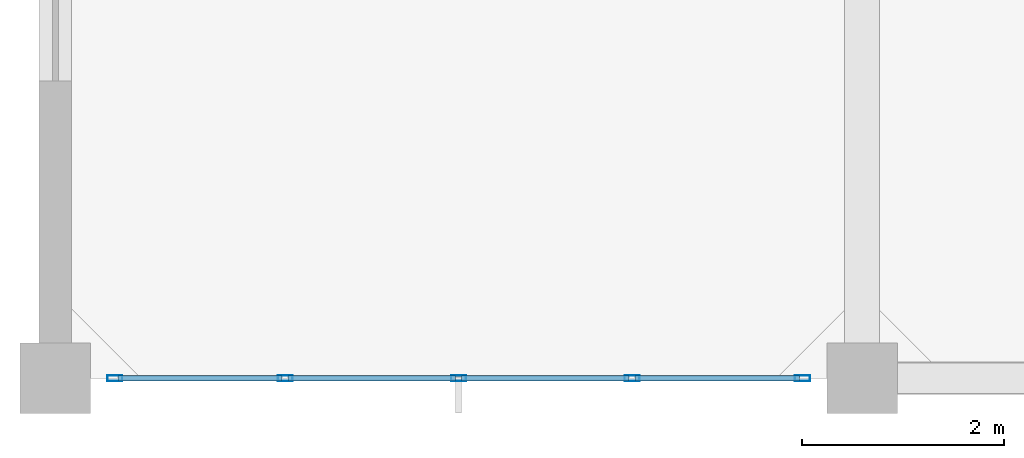
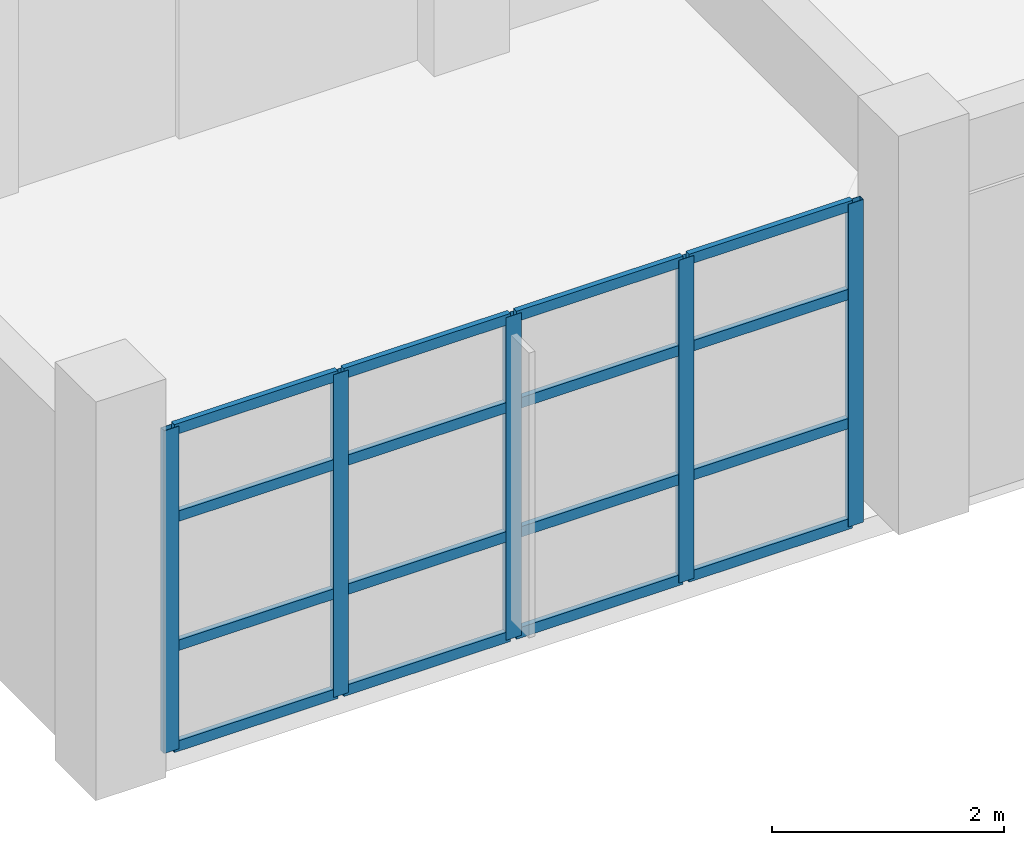
# One storey, part 2 of 27: 21 members, 1 element without a shape of its own.
"""IFC4 building model written with IfcOpenShell, lengths in metres."""

import ifcopenshell
import ifcopenshell.guid

model = None  # the IFC model being written
_history = None  # IfcOwnerHistory: only IFC2X3 demands one
_inside = {}  # id of a spatial element -> (the spatial element, [elements in it])
_under = {}  # id of a project, library or spatial element -> (it, [spatial elements below it])
_declared = {}  # id of a project -> (the project, [libraries it declares])
_typed = {}  # id of a type object -> (the type object, [elements of that type])
_made_of = {}  # id of a material, layer set ... -> (it, [elements and type objects made of it])


def new_model(schema):
    """Start an empty IFC model of exactly this schema.

    Asked for "IFC4X3", IfcOpenShell would pick the latest addendum, in which some entities
    have other attributes; the version numbers below select the first issue.
    IFC2X3 requires an IfcOwnerHistory on every rooted entity: one is made here for all.
    """
    global model, _history
    if schema == "IFC4X3":
        model = ifcopenshell.file(schema_version=(4, 3, 0, 0))
    else:
        model = ifcopenshell.file(schema=schema)
    _inside.clear()
    _under.clear()
    _declared.clear()
    _typed.clear()
    _made_of.clear()
    _history = None
    if model.schema == "IFC2X3":
        org = make("IfcOrganization", Name="unknown")
        user = make(
            "IfcPersonAndOrganization",
            ThePerson=make("IfcPerson", FamilyName="unknown"),
            TheOrganization=org,
        )
        app = make(
            "IfcApplication",
            ApplicationDeveloper=org,
            Version="unknown",
            ApplicationFullName="unknown",
            ApplicationIdentifier="unknown",
        )
        _history = make(
            "IfcOwnerHistory",
            OwningUser=user,
            OwningApplication=app,
            ChangeAction="ADDED",
            CreationDate=0,
        )
    return model


def make(cls, **values):
    """One entity of the class cls with the attributes given. An attribute that is None is left unset."""
    return model.create_entity(
        cls, **{name: value for name, value in values.items() if value is not None}
    )


def rooted(cls, **values):
    """An entity with a GlobalId (a new one), such as an element, a storey or a relation."""
    return make(cls, GlobalId=ifcopenshell.guid.new(), OwnerHistory=_history, **values)


def si_unit(unit_type, name, prefix=None):
    """IfcSIUnit, for example si_unit("LENGTHUNIT", "METRE", prefix="MILLI")."""
    return make("IfcSIUnit", UnitType=unit_type, Prefix=prefix, Name=name)


def assignment(units):
    """IfcUnitAssignment: the units of a project."""
    return None if units is None else make("IfcUnitAssignment", Units=units)


def point(xyz):
    """IfcCartesianPoint."""
    return None if xyz is None else make("IfcCartesianPoint", Coordinates=xyz)


def direction(xyz):
    """IfcDirection."""
    return None if xyz is None else make("IfcDirection", DirectionRatios=xyz)


def frame(location, z_axis=None, x_axis=None):
    """IfcAxis2Placement3D, a coordinate frame: its origin and axes. An axis left out is left unset."""
    return make(
        "IfcAxis2Placement3D",
        Location=point(location),
        Axis=direction(z_axis),
        RefDirection=direction(x_axis),
    )


def frame_2d(location, x_axis=None):
    """IfcAxis2Placement2D, a coordinate frame in the plane: its origin and x axis."""
    return make(
        "IfcAxis2Placement2D", Location=point(location), RefDirection=direction(x_axis)
    )


def origin():
    """The frame at (0, 0, 0) with its axes left unset."""
    return frame((0.0, 0.0, 0.0))


def origin_2d():
    """The frame at (0, 0) in the plane with its x axis left unset."""
    return frame_2d((0.0, 0.0))


def place(relative_to, where):
    """IfcLocalPlacement: puts the frame where relative to a parent placement (None: the world)."""
    return make(
        "IfcLocalPlacement", PlacementRelTo=relative_to, RelativePlacement=where
    )


def context(
    kind, dimensions, precision=None, world=None, true_north=None, identifier=None
):
    """IfcGeometricRepresentationContext, for example the 3D "Model" context."""
    return make(
        "IfcGeometricRepresentationContext",
        ContextIdentifier=identifier,
        ContextType=kind,
        CoordinateSpaceDimension=dimensions,
        Precision=precision,
        WorldCoordinateSystem=world,
        TrueNorth=true_north,
    )


def subcontext(parent, identifier, kind, view, scale=None):
    """IfcGeometricRepresentationSubContext, for example "Body" below "Model"."""
    return make(
        "IfcGeometricRepresentationSubContext",
        ContextIdentifier=identifier,
        ContextType=kind,
        ParentContext=parent,
        TargetScale=scale,
        TargetView=view,
    )


def project(units=None, contexts=None):
    """IfcProject with its units and contexts."""
    return rooted(
        "IfcProject",
        Name="project",
        RepresentationContexts=contexts,
        UnitsInContext=assignment(units),
    )


def spatial(cls, under=None, at=None, **own):
    """A site, building, storey or space (cls), placed at a placement, below another one or the project."""
    s = rooted(cls, ObjectPlacement=at, **own)
    if under is not None:
        _under.setdefault(under.id(), (under, []))[1].append(s)
    return s


def profile(cls, at=None, kind="AREA", **sizes):
    """A parametric profile (cls). Its sizes go by their IFC names, for example OverallWidth=200.0."""
    return make(cls, ProfileType=kind, Position=at, **sizes)


def hollow_rectangle(**sizes):
    """IfcRectangleHollowProfileDef."""
    return profile("IfcRectangleHollowProfileDef", **sizes)


def extrude(swept, where, along, depth):
    """IfcExtrudedAreaSolid: the profile swept, set in the frame where, extruded along a direction by depth."""
    return make(
        "IfcExtrudedAreaSolid",
        SweptArea=swept,
        Position=where,
        ExtrudedDirection=direction(along),
        Depth=depth,
    )


def shape(context_of_items, identifier, shape_type, items):
    """IfcShapeRepresentation: the items that make up one representation, for example the "Body"."""
    return make(
        "IfcShapeRepresentation",
        ContextOfItems=context_of_items,
        RepresentationIdentifier=identifier,
        RepresentationType=shape_type,
        Items=items,
    )


def material(Name=None, Category=None):
    """IfcMaterial."""
    return make("IfcMaterial", Name=Name, Category=Category)


def layer(
    of_material, thickness, ventilated=None, Name=None, Category=None, Priority=None
):
    """IfcMaterialLayer: one layer of a wall or slab, of a material (None: an air gap)."""
    return make(
        "IfcMaterialLayer",
        Material=of_material,
        LayerThickness=thickness,
        IsVentilated=ventilated,
        Name=Name,
        Category=Category,
        Priority=Priority,
    )


def layer_set(layers, Name=None):
    """IfcMaterialLayerSet."""
    return make("IfcMaterialLayerSet", MaterialLayers=layers, LayerSetName=Name)


def material_profile(
    of_material, cross_section, Name=None, Category=None, Priority=None
):
    """IfcMaterialProfile: a cross section and its material."""
    return make(
        "IfcMaterialProfile",
        Name=Name,
        Material=of_material,
        Profile=cross_section,
        Priority=Priority,
        Category=Category,
    )


def profile_set(profiles, Name=None, composite=None):
    """IfcMaterialProfileSet."""
    return make(
        "IfcMaterialProfileSet",
        Name=Name,
        MaterialProfiles=profiles,
        CompositeProfile=composite,
    )


def made_of(thing, what):
    """Note that an element or type object is made of a material, layer set ...; save() writes the relation."""
    if what is not None:
        _made_of.setdefault(what.id(), (what, []))[1].append(thing)
    return thing


def type_object(cls, material=None, **own):
    """A type object (cls), such as IfcWallType, which elements share."""
    return made_of(rooted(cls, **own), material)


def element(
    cls,
    number,
    at=None,
    inside=None,
    cuts=None,
    type_object=None,
    material=None,
    context=None,
    identifier="Body",
    shape_type=None,
    held_by="IfcProductDefinitionShape",
    body=None,
    shapes=None,
    **own,
):
    """One element of the class cls, such as IfcWall. Its Tag is "e" and its number.

    at: its placement. inside: the storey or other place that contains it. cuts: it is an
    opening in that element (IfcRelVoidsElement). A single representation is given by context,
    identifier, shape_type and body (its items); several are given by shapes. held_by: the class
    of the entity that holds the representations. save() writes the other relations.
    """
    e = rooted(cls, Tag="e%d" % number, ObjectPlacement=at, **own)
    if body is not None:
        shapes = [shape(context, identifier, shape_type, body)]
    if shapes is not None:
        e.Representation = make(held_by, Representations=shapes)
    if inside is not None:
        _inside.setdefault(inside.id(), (inside, []))[1].append(e)
    if cuts is not None:
        rooted(
            "IfcRelVoidsElement", RelatingBuildingElement=cuts, RelatedOpeningElement=e
        )
    if type_object is not None:
        _typed.setdefault(type_object.id(), (type_object, []))[1].append(e)
    return made_of(e, material)


def aggregate(whole, parts):
    """IfcRelAggregates: a whole, such as a stair, and the parts it consists of."""
    return rooted("IfcRelAggregates", RelatingObject=whole, RelatedObjects=parts)


def save(model, path):
    """Write the relations noted so far, then the file.

    IfcRelAggregates (storeys below a building ...), IfcRelContainedInSpatialStructure (elements
    in a storey), IfcRelDefinesByType, IfcRelAssociatesMaterial and IfcRelDeclares: one each for
    every whole, place, type object, material and project.
    """
    for whole, parts in _under.values():
        aggregate(whole, parts)
    for where, things in _inside.values():
        rooted(
            "IfcRelContainedInSpatialStructure",
            RelatedElements=things,
            RelatingStructure=where,
        )
    for kind, things in _typed.values():
        rooted("IfcRelDefinesByType", RelatedObjects=things, RelatingType=kind)
    for what, things in _made_of.values():
        rooted("IfcRelAssociatesMaterial", RelatedObjects=things, RelatingMaterial=what)
    for by, libraries in _declared.values():
        rooted("IfcRelDeclares", RelatingContext=by, RelatedDefinitions=libraries)
    model.write(path)


model = new_model("IFC4")

# Units and contexts
model_context = context("Model", 3, precision=1e-05, world=origin(), true_north=direction((0.0, 1.0)))
body_context = subcontext(model_context, "Body", "Model", "MODEL_VIEW")
ifc_project = project(units=[si_unit("LENGTHUNIT", "METRE"), si_unit("AREAUNIT", "SQUARE_METRE"), si_unit("VOLUMEUNIT", "CUBIC_METRE"), si_unit("PLANEANGLEUNIT", "RADIAN"), si_unit("MASSUNIT", "GRAM", prefix="KILO")], contexts=[model_context])

# Site, building, storey
site_placement = place(None, origin())
site = spatial("IfcSite", under=ifc_project, at=site_placement, CompositionType="ELEMENT")
building_placement = place(site_placement, origin())
building = spatial("IfcBuilding", under=site, at=building_placement, Name="Canggui Botanical Conservatory", CompositionType="ELEMENT")
storey_placement = place(building_placement, frame((0.0, 0.0, 36.0)))
storey = spatial("IfcBuildingStorey", under=building, at=storey_placement, Name="L09", CompositionType="ELEMENT", Elevation=36.0)

# Curtain wall, members
ifc_material = material(Name="Thermally Broken Aluminium", Category="aluminium")
ifc_layer = layer(ifc_material, 0.14990234375, Name="Thermally Broken Aluminium", Category="aluminium")
ifc_layer_set = layer_set([ifc_layer], Name="Thermally Broken Aluminium")
curtain_wall_type = type_object("IfcCurtainWallType", Name="CW-UNIT-C", PredefinedType="USERDEFINED", material=ifc_layer_set)
curtain_wall_placement = place(storey_placement, origin())
curtain_wall = element("IfcCurtainWall", 1, at=curtain_wall_placement, inside=storey, type_object=curtain_wall_type, Name="Facade Curtain Wall CW-TWR-L09-05", ObjectType="UNITISED CURTAIN WALL", PredefinedType="USERDEFINED")
ifc_material_profile_1 = material_profile(ifc_material, hollow_rectangle(XDim=0.06005859375, YDim=0.14990234375, WallThickness=0.00341796875, at=origin_2d()), Name="CWM 60x150x3.5")
ifc_profile_set_1 = profile_set([ifc_material_profile_1], Name="Thermally Broken Aluminium")
member_type_1 = type_object("IfcMemberType", Name="CWM-03", PredefinedType="MULLION", material=ifc_profile_set_1)
member_1_placement = place(storey_placement, frame((145.409912109375, 34.0, 0.0), z_axis=(0.0, 0.0, 1.0), x_axis=(0.0, -1.0, 0.0)))
member_1 = element("IfcMember", 2, at=member_1_placement, type_object=member_type_1, Name="CW-03 mullion 1", PredefinedType="MULLION", context=body_context, shape_type="SweptSolid", body=[
    extrude(hollow_rectangle(XDim=0.06005859375, YDim=0.14990234375, WallThickness=0.00341796875, at=origin_2d()), origin(), (0.0, 0.0, 1.0), 3.39990234375),
])
member_2_placement = place(storey_placement, frame((143.719970703125, 34.0, 0.0), z_axis=(0.0, 0.0, 1.0), x_axis=(0.0, -1.0, 0.0)))
member_2 = element("IfcMember", 3, at=member_2_placement, type_object=member_type_1, Name="CW-03 mullion 2", PredefinedType="MULLION", context=body_context, shape_type="SweptSolid", body=[
    extrude(hollow_rectangle(XDim=0.06005859375, YDim=0.14990234375, WallThickness=0.00341796875, at=origin_2d()), origin(), (0.0, 0.0, 1.0), 3.39990234375),
])
member_3_placement = place(storey_placement, frame((142.0, 34.0, 0.0), z_axis=(0.0, 0.0, 1.0), x_axis=(0.0, -1.0, 0.0)))
member_3 = element("IfcMember", 4, at=member_3_placement, type_object=member_type_1, Name="CW-03 mullion 3", PredefinedType="MULLION", context=body_context, shape_type="SweptSolid", body=[
    extrude(hollow_rectangle(XDim=0.06005859375, YDim=0.14990234375, WallThickness=0.00341796875, at=origin_2d()), origin(), (0.0, 0.0, 1.0), 3.39990234375),
])
member_4_placement = place(storey_placement, frame((140.280029296875, 34.0, 0.0), z_axis=(0.0, 0.0, 1.0), x_axis=(0.0, -1.0, 0.0)))
member_4 = element("IfcMember", 5, at=member_4_placement, type_object=member_type_1, Name="CW-03 mullion 4", PredefinedType="MULLION", context=body_context, shape_type="SweptSolid", body=[
    extrude(hollow_rectangle(XDim=0.06005859375, YDim=0.14990234375, WallThickness=0.00341796875, at=origin_2d()), origin(), (0.0, 0.0, 1.0), 3.39990234375),
])
member_5_placement = place(storey_placement, frame((138.590087890625, 34.0, 0.0), z_axis=(0.0, 0.0, 1.0), x_axis=(0.0, -1.0, 0.0)))
member_5 = element("IfcMember", 6, at=member_5_placement, type_object=member_type_1, Name="CW-03 mullion 5", PredefinedType="MULLION", context=body_context, shape_type="SweptSolid", body=[
    extrude(hollow_rectangle(XDim=0.06005859375, YDim=0.14990234375, WallThickness=0.00341796875, at=origin_2d()), origin(), (0.0, 0.0, 1.0), 3.39990234375),
])
ifc_material_profile_2 = material_profile(ifc_material, hollow_rectangle(XDim=0.054931640625, YDim=0.110107421875, WallThickness=0.0029296875, at=origin_2d()), Name="CWT 55x110x3")
ifc_profile_set_2 = profile_set([ifc_material_profile_2], Name="Thermally Broken Aluminium")
member_type_2 = type_object("IfcMemberType", Name="CWT-03", PredefinedType="USERDEFINED", material=ifc_profile_set_2)
member_6_placement = place(storey_placement, frame((145.3798828125, 34.0, 0.027587890625), z_axis=(-1.0, 0.0, 0.0), x_axis=(0.0, -1.0, 0.0)))
member_6 = element("IfcMember", 7, at=member_6_placement, type_object=member_type_2, Name="CW-03 transom 1.1", ObjectType="TRANSOM", PredefinedType="USERDEFINED", context=body_context, shape_type="SweptSolid", body=[
    extrude(hollow_rectangle(XDim=0.054931640625, YDim=0.110107421875, WallThickness=0.0029296875, at=origin_2d()), origin(), (0.0, 0.0, 1.0), 1.6298828125),
])
member_7_placement = place(storey_placement, frame((145.3798828125, 34.0, 1.087890625), z_axis=(-1.0, 0.0, 0.0), x_axis=(0.0, -1.0, 0.0)))
member_7 = element("IfcMember", 8, at=member_7_placement, type_object=member_type_2, Name="CW-03 transom 1.2", ObjectType="TRANSOM", PredefinedType="USERDEFINED", context=body_context, shape_type="SweptSolid", body=[
    extrude(hollow_rectangle(XDim=0.054931640625, YDim=0.110107421875, WallThickness=0.0029296875, at=origin_2d()), origin(), (0.0, 0.0, 1.0), 1.6298828125),
])
member_8_placement = place(storey_placement, frame((145.3798828125, 34.0, 2.447998046875), z_axis=(-1.0, 0.0, 0.0), x_axis=(0.0, -1.0, 0.0)))
member_8 = element("IfcMember", 9, at=member_8_placement, type_object=member_type_2, Name="CW-03 transom 1.3", ObjectType="TRANSOM", PredefinedType="USERDEFINED", context=body_context, shape_type="SweptSolid", body=[
    extrude(hollow_rectangle(XDim=0.054931640625, YDim=0.110107421875, WallThickness=0.0029296875, at=origin_2d()), origin(), (0.0, 0.0, 1.0), 1.6298828125),
])
member_9_placement = place(storey_placement, frame((145.3798828125, 34.0, 3.37255859375), z_axis=(-1.0, 0.0, 0.0), x_axis=(0.0, -1.0, 0.0)))
member_9 = element("IfcMember", 10, at=member_9_placement, type_object=member_type_2, Name="CW-03 transom 1.4", ObjectType="TRANSOM", PredefinedType="USERDEFINED", context=body_context, shape_type="SweptSolid", body=[
    extrude(hollow_rectangle(XDim=0.054931640625, YDim=0.110107421875, WallThickness=0.0029296875, at=origin_2d()), origin(), (0.0, 0.0, 1.0), 1.6298828125),
])
member_10_placement = place(storey_placement, frame((143.68994140625, 34.0, 0.027587890625), z_axis=(-1.0, 0.0, 0.0), x_axis=(0.0, -1.0, 0.0)))
member_10 = element("IfcMember", 11, at=member_10_placement, type_object=member_type_2, Name="CW-03 transom 2.1", ObjectType="TRANSOM", PredefinedType="USERDEFINED", context=body_context, shape_type="SweptSolid", body=[
    extrude(hollow_rectangle(XDim=0.054931640625, YDim=0.110107421875, WallThickness=0.0029296875, at=origin_2d()), origin(), (0.0, 0.0, 1.0), 1.659912109375),
])
member_11_placement = place(storey_placement, frame((143.68994140625, 34.0, 1.087890625), z_axis=(-1.0, 0.0, 0.0), x_axis=(0.0, -1.0, 0.0)))
member_11 = element("IfcMember", 12, at=member_11_placement, type_object=member_type_2, Name="CW-03 transom 2.2", ObjectType="TRANSOM", PredefinedType="USERDEFINED", context=body_context, shape_type="SweptSolid", body=[
    extrude(hollow_rectangle(XDim=0.054931640625, YDim=0.110107421875, WallThickness=0.0029296875, at=origin_2d()), origin(), (0.0, 0.0, 1.0), 1.659912109375),
])
member_12_placement = place(storey_placement, frame((143.68994140625, 34.0, 2.447998046875), z_axis=(-1.0, 0.0, 0.0), x_axis=(0.0, -1.0, 0.0)))
member_12 = element("IfcMember", 13, at=member_12_placement, type_object=member_type_2, Name="CW-03 transom 2.3", ObjectType="TRANSOM", PredefinedType="USERDEFINED", context=body_context, shape_type="SweptSolid", body=[
    extrude(hollow_rectangle(XDim=0.054931640625, YDim=0.110107421875, WallThickness=0.0029296875, at=origin_2d()), origin(), (0.0, 0.0, 1.0), 1.659912109375),
])
member_13_placement = place(storey_placement, frame((143.68994140625, 34.0, 3.37255859375), z_axis=(-1.0, 0.0, 0.0), x_axis=(0.0, -1.0, 0.0)))
member_13 = element("IfcMember", 14, at=member_13_placement, type_object=member_type_2, Name="CW-03 transom 2.4", ObjectType="TRANSOM", PredefinedType="USERDEFINED", context=body_context, shape_type="SweptSolid", body=[
    extrude(hollow_rectangle(XDim=0.054931640625, YDim=0.110107421875, WallThickness=0.0029296875, at=origin_2d()), origin(), (0.0, 0.0, 1.0), 1.659912109375),
])
member_14_placement = place(storey_placement, frame((141.969970703125, 34.0, 0.027587890625), z_axis=(-1.0, 0.0, 0.0), x_axis=(0.0, -1.0, 0.0)))
member_14 = element("IfcMember", 15, at=member_14_placement, type_object=member_type_2, Name="CW-03 transom 3.1", ObjectType="TRANSOM", PredefinedType="USERDEFINED", context=body_context, shape_type="SweptSolid", body=[
    extrude(hollow_rectangle(XDim=0.054931640625, YDim=0.110107421875, WallThickness=0.0029296875, at=origin_2d()), origin(), (0.0, 0.0, 1.0), 1.659912109375),
])
member_15_placement = place(storey_placement, frame((141.969970703125, 34.0, 1.087890625), z_axis=(-1.0, 0.0, 0.0), x_axis=(0.0, -1.0, 0.0)))
member_15 = element("IfcMember", 16, at=member_15_placement, type_object=member_type_2, Name="CW-03 transom 3.2", ObjectType="TRANSOM", PredefinedType="USERDEFINED", context=body_context, shape_type="SweptSolid", body=[
    extrude(hollow_rectangle(XDim=0.054931640625, YDim=0.110107421875, WallThickness=0.0029296875, at=origin_2d()), origin(), (0.0, 0.0, 1.0), 1.659912109375),
])
member_16_placement = place(storey_placement, frame((141.969970703125, 34.0, 2.447998046875), z_axis=(-1.0, 0.0, 0.0), x_axis=(0.0, -1.0, 0.0)))
member_16 = element("IfcMember", 17, at=member_16_placement, type_object=member_type_2, Name="CW-03 transom 3.3", ObjectType="TRANSOM", PredefinedType="USERDEFINED", context=body_context, shape_type="SweptSolid", body=[
    extrude(hollow_rectangle(XDim=0.054931640625, YDim=0.110107421875, WallThickness=0.0029296875, at=origin_2d()), origin(), (0.0, 0.0, 1.0), 1.659912109375),
])
member_17_placement = place(storey_placement, frame((141.969970703125, 34.0, 3.37255859375), z_axis=(-1.0, 0.0, 0.0), x_axis=(0.0, -1.0, 0.0)))
member_17 = element("IfcMember", 18, at=member_17_placement, type_object=member_type_2, Name="CW-03 transom 3.4", ObjectType="TRANSOM", PredefinedType="USERDEFINED", context=body_context, shape_type="SweptSolid", body=[
    extrude(hollow_rectangle(XDim=0.054931640625, YDim=0.110107421875, WallThickness=0.0029296875, at=origin_2d()), origin(), (0.0, 0.0, 1.0), 1.659912109375),
])
member_18_placement = place(storey_placement, frame((140.25, 34.0, 0.027587890625), z_axis=(-1.0, 0.0, 0.0), x_axis=(0.0, -1.0, 0.0)))
member_18 = element("IfcMember", 19, at=member_18_placement, type_object=member_type_2, Name="CW-03 transom 4.1", ObjectType="TRANSOM", PredefinedType="USERDEFINED", context=body_context, shape_type="SweptSolid", body=[
    extrude(hollow_rectangle(XDim=0.054931640625, YDim=0.110107421875, WallThickness=0.0029296875, at=origin_2d()), origin(), (0.0, 0.0, 1.0), 1.6298828125),
])
member_19_placement = place(storey_placement, frame((140.25, 34.0, 1.087890625), z_axis=(-1.0, 0.0, 0.0), x_axis=(0.0, -1.0, 0.0)))
member_19 = element("IfcMember", 20, at=member_19_placement, type_object=member_type_2, Name="CW-03 transom 4.2", ObjectType="TRANSOM", PredefinedType="USERDEFINED", context=body_context, shape_type="SweptSolid", body=[
    extrude(hollow_rectangle(XDim=0.054931640625, YDim=0.110107421875, WallThickness=0.0029296875, at=origin_2d()), origin(), (0.0, 0.0, 1.0), 1.6298828125),
])
member_20_placement = place(storey_placement, frame((140.25, 34.0, 2.447998046875), z_axis=(-1.0, 0.0, 0.0), x_axis=(0.0, -1.0, 0.0)))
member_20 = element("IfcMember", 21, at=member_20_placement, type_object=member_type_2, Name="CW-03 transom 4.3", ObjectType="TRANSOM", PredefinedType="USERDEFINED", context=body_context, shape_type="SweptSolid", body=[
    extrude(hollow_rectangle(XDim=0.054931640625, YDim=0.110107421875, WallThickness=0.0029296875, at=origin_2d()), origin(), (0.0, 0.0, 1.0), 1.6298828125),
])
member_21_placement = place(storey_placement, frame((140.25, 34.0, 3.37255859375), z_axis=(-1.0, 0.0, 0.0), x_axis=(0.0, -1.0, 0.0)))
member_21 = element("IfcMember", 22, at=member_21_placement, type_object=member_type_2, Name="CW-03 transom 4.4", ObjectType="TRANSOM", PredefinedType="USERDEFINED", context=body_context, shape_type="SweptSolid", body=[
    extrude(hollow_rectangle(XDim=0.054931640625, YDim=0.110107421875, WallThickness=0.0029296875, at=origin_2d()), origin(), (0.0, 0.0, 1.0), 1.6298828125),
])
aggregate(curtain_wall, [member_1, member_2, member_3, member_4, member_5, member_6, member_7, member_8, member_9, member_10, member_11, member_12, member_13, member_14, member_15, member_16, member_17, member_18, member_19, member_20, member_21])

save(model, "model.ifc")
